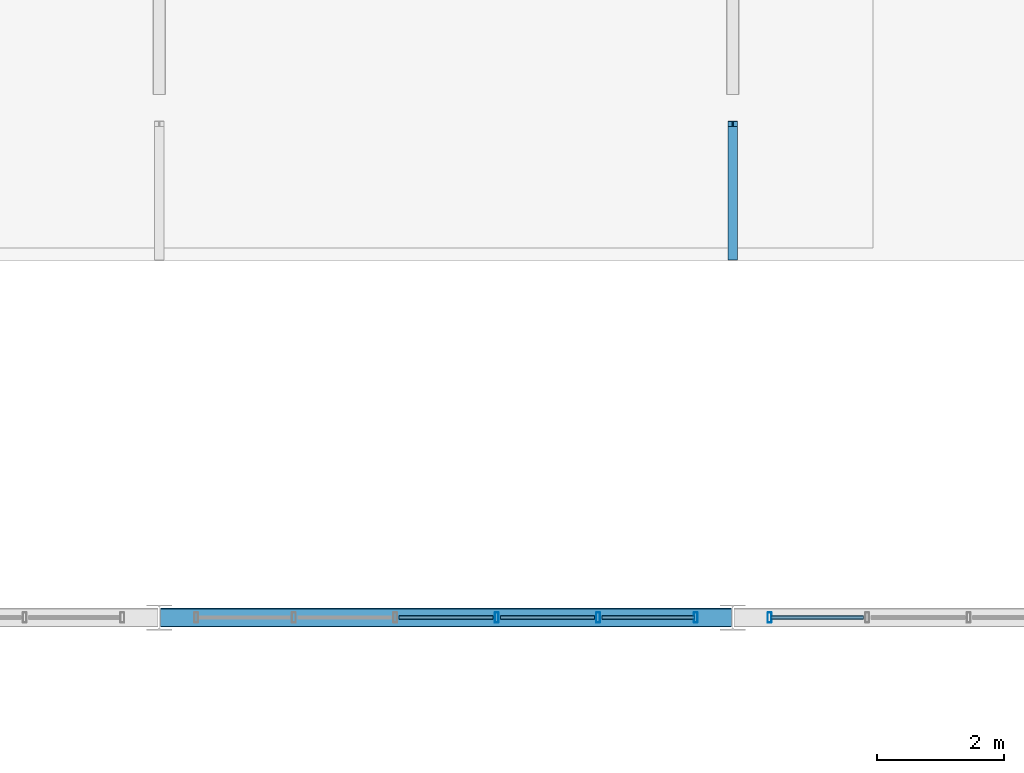
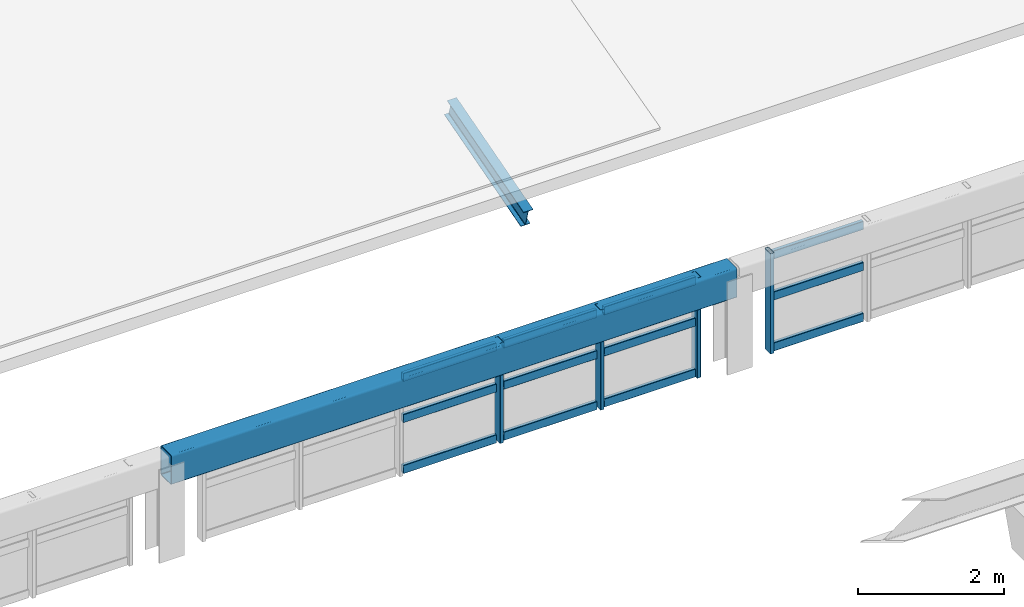
# One storey, part 52 of 128: 16 members, 2 beams, 2 elements without a shape of their own.
"""IFC4 building model written with IfcOpenShell, lengths in metres."""

from ifc_helpers import new_model, si_unit, derived_unit, direction, frame, origin, origin_2d, place, context, subcontext, project, spatial, hollow_rectangle, i_section, extrude, material, material_profile, profile_set, type_object, element, aggregate, save


model = new_model("IFC4")

# Units and contexts
model_context = context("Model", 3, precision=1e-05, world=origin(), true_north=direction((0.0, 1.0)))
body_context = subcontext(model_context, "Body", "Model", "MODEL_VIEW")
ifc_project = project(units=[si_unit("LENGTHUNIT", "METRE"), si_unit("AREAUNIT", "SQUARE_METRE"), si_unit("VOLUMEUNIT", "CUBIC_METRE"), si_unit("PLANEANGLEUNIT", "RADIAN"), si_unit("MASSUNIT", "GRAM", prefix="KILO"), derived_unit("THERMALTRANSMITTANCEUNIT", [(si_unit("MASSUNIT", "GRAM", prefix="KILO"), 1), (si_unit("TIMEUNIT", "SECOND"), -3), (si_unit("THERMODYNAMICTEMPERATUREUNIT", "KELVIN"), -1)])], contexts=[model_context])

# Site, building, storey
site_placement = place(None, origin())
site = spatial("IfcSite", under=ifc_project, at=site_placement, CompositionType="ELEMENT")
building_placement = place(site_placement, origin())
building = spatial("IfcBuilding", under=site, at=building_placement, Name="Zhenchuan Archway Interchange", CompositionType="ELEMENT")
storey_placement = place(building_placement, frame((0.0, 0.0, 14.39990234375)))
storey = spatial("IfcBuildingStorey", under=building, at=storey_placement, Name="L03", CompositionType="ELEMENT", Elevation=14.39990234375)

# Beams
ifc_material_1 = material(Name="Steel Q390", Category="steel")
ifc_material_profile_1 = material_profile(ifc_material_1, hollow_rectangle(XDim=0.300048828125, YDim=0.5, WallThickness=0.01611328125, InnerFilletRadius=0.01611328125, OuterFilletRadius=0.031982421875, at=origin_2d()), Name="RHS 500x300x16")
ifc_profile_set_1 = profile_set([ifc_material_profile_1], Name="Steel Q390")
beam_type_1 = type_object("IfcBeamType", Name="BM_RING_RHS500", PredefinedType="BEAM", material=ifc_profile_set_1)
beam_1_placement = place(storey_placement, frame((36.02001953125, 88.0, 1.4501953125), z_axis=(1.0, 0.0, 0.0), x_axis=(0.0, 1.0, 0.0)))
element("IfcBeam", 1, at=beam_1_placement, inside=storey, type_object=beam_type_1, Name="CONCOURSE CABLE-NET RING BEAM N-2", PredefinedType="BEAM", context=body_context, shape_type="SweptSolid", body=[
    extrude(hollow_rectangle(XDim=0.300048828125, YDim=0.5, WallThickness=0.01611328125, InnerFilletRadius=0.01611328125, OuterFilletRadius=0.031982421875, at=origin_2d()), origin(), (0.0, 0.0, 1.0), 8.9599609375),
])
ifc_material_2 = material(Name="Steel Q355", Category="steel")
ifc_material_profile_2 = material_profile(ifc_material_2, i_section(OverallWidth=0.14990234375, OverallDepth=0.300048828125, WebThickness=0.006591796875, FlangeThickness=0.009033203125, FilletRadius=0.012939453125, at=origin_2d()), Name="HN 300x150")
ifc_profile_set_2 = profile_set([ifc_material_profile_2], Name="Steel Q355")
beam_type_2 = type_object("IfcBeamType", Name="BM_STL_EAVE_HN300", PredefinedType="BEAM", material=ifc_profile_set_2)
beam_2_placement = place(storey_placement, frame((45.0, 95.75, -0.3798828125), z_axis=(0.0, -0.961515511102, -0.274750654067), x_axis=(1.0, 0.0, 0.0)))
element("IfcBeam", 2, at=beam_2_placement, inside=storey, type_object=beam_type_2, Name="Terminal Wing storm-eave bracket X45-S", PredefinedType="BEAM", context=body_context, shape_type="SweptSolid", body=[
    extrude(i_section(OverallWidth=0.14990234375, OverallDepth=0.300048828125, WebThickness=0.006591796875, FlangeThickness=0.009033203125, FilletRadius=0.012939453125, at=origin_2d()), origin(), (0.0, 0.0, 1.0), 2.18408203125),
])

# Curtain wall, members
ifc_material_3 = material(Name="Anodised Aluminium", Category="aluminium")
curtain_wall_type = type_object("IfcCurtainWallType", Name="CW_UNIT_4", PredefinedType="NOTDEFINED", material=ifc_material_3)
curtain_wall_1_placement = place(storey_placement, origin())
curtain_wall_1 = element("IfcCurtainWall", 3, at=curtain_wall_1_placement, inside=storey, type_object=curtain_wall_type, Name="Unitised curtain wall CW:L03:RING-N2", PredefinedType="NOTDEFINED")
ifc_material_profile_3 = material_profile(ifc_material_3, hollow_rectangle(XDim=0.06005859375, YDim=0.159912109375, WallThickness=0.00390625, InnerFilletRadius=0.00390625, OuterFilletRadius=0.008056640625, at=origin_2d()), Name="ALU 160x60x4")
ifc_profile_set_3 = profile_set([ifc_material_profile_3], Name="Anodised Aluminium")
member_type_1 = type_object("IfcMemberType", Name="CW_MUL_150", PredefinedType="MULLION", material=ifc_profile_set_3)
member_1_placement = place(storey_placement, frame((41.2958984375, 88.0, 0.02001953125), z_axis=(0.0, 0.0, 1.0), x_axis=(1.0, 0.0, 0.0)))
member_1 = element("IfcMember", 4, at=member_1_placement, type_object=member_type_1, Name="CW:L03:RING-N2 mullion 3", PredefinedType="MULLION", context=body_context, shape_type="SweptSolid", body=[
    extrude(hollow_rectangle(XDim=0.06005859375, YDim=0.159912109375, WallThickness=0.00390625, InnerFilletRadius=0.00390625, OuterFilletRadius=0.008056640625, at=origin_2d()), origin(), (0.0, 0.0, 1.0), 1.68017578125),
])
member_2_placement = place(storey_placement, frame((42.887939453125, 88.0, 0.02001953125), z_axis=(0.0, 0.0, 1.0), x_axis=(1.0, 0.0, 0.0)))
member_2 = element("IfcMember", 5, at=member_2_placement, type_object=member_type_1, Name="CW:L03:RING-N2 mullion 4", PredefinedType="MULLION", context=body_context, shape_type="SweptSolid", body=[
    extrude(hollow_rectangle(XDim=0.06005859375, YDim=0.159912109375, WallThickness=0.00390625, InnerFilletRadius=0.00390625, OuterFilletRadius=0.008056640625, at=origin_2d()), origin(), (0.0, 0.0, 1.0), 1.68017578125),
])
member_3_placement = place(storey_placement, frame((44.419921875, 88.0, 0.02001953125), z_axis=(0.0, 0.0, 1.0), x_axis=(1.0, 0.0, 0.0)))
member_3 = element("IfcMember", 6, at=member_3_placement, type_object=member_type_1, Name="CW:L03:RING-N2 mullion 5", PredefinedType="MULLION", context=body_context, shape_type="SweptSolid", body=[
    extrude(hollow_rectangle(XDim=0.06005859375, YDim=0.159912109375, WallThickness=0.00390625, InnerFilletRadius=0.00390625, OuterFilletRadius=0.008056640625, at=origin_2d()), origin(), (0.0, 0.0, 1.0), 1.68017578125),
])

# Curtain wall, member
curtain_wall_2_placement = place(storey_placement, origin())
curtain_wall_2 = element("IfcCurtainWall", 7, at=curtain_wall_2_placement, inside=storey, type_object=curtain_wall_type, Name="Unitised curtain wall CW:L03:RING-N3", PredefinedType="NOTDEFINED")
member_4_placement = place(storey_placement, frame((45.580078125, 88.0, 0.02001953125), z_axis=(0.0, 0.0, 1.0), x_axis=(1.0, 0.0, 0.0)))
member_4 = element("IfcMember", 8, at=member_4_placement, type_object=member_type_1, Name="CW:L03:RING-N3 mullion 0", PredefinedType="MULLION", context=body_context, shape_type="SweptSolid", body=[
    extrude(hollow_rectangle(XDim=0.06005859375, YDim=0.159912109375, WallThickness=0.00390625, InnerFilletRadius=0.00390625, OuterFilletRadius=0.008056640625, at=origin_2d()), origin(), (0.0, 0.0, 1.0), 1.68017578125),
])

# Member
ifc_material_profile_4 = material_profile(ifc_material_3, hollow_rectangle(XDim=0.06005859375, YDim=0.139892578125, WallThickness=0.00341796875, InnerFilletRadius=0.00341796875, OuterFilletRadius=0.007080078125, at=origin_2d()), Name="ALU 140x60x3.5")
ifc_profile_set_4 = profile_set([ifc_material_profile_4], Name="Anodised Aluminium")
member_type_2 = type_object("IfcMemberType", Name="CW_TRN_140", PredefinedType="USERDEFINED", material=ifc_profile_set_4)
member_5_placement = place(storey_placement, frame((39.763916015625, 88.0, 0.080078125), z_axis=(1.0, 0.0, 0.0), x_axis=(0.0, 1.0, 0.0)))
member_5 = element("IfcMember", 9, at=member_5_placement, type_object=member_type_2, Name="CW:L03:RING-N2 transom 2-1", ObjectType="TRANSOM", PredefinedType="USERDEFINED", context=body_context, shape_type="SweptSolid", body=[
    extrude(hollow_rectangle(XDim=0.06005859375, YDim=0.139892578125, WallThickness=0.00341796875, InnerFilletRadius=0.00341796875, OuterFilletRadius=0.007080078125, at=origin_2d()), origin(), (0.0, 0.0, 1.0), 1.47216796875),
])

member_6_placement = place(storey_placement, frame((39.763916015625, 88.0, 0.93310546875), z_axis=(1.0, 0.0, 0.0), x_axis=(0.0, 1.0, 0.0)))
member_6 = element("IfcMember", 10, at=member_6_placement, type_object=member_type_2, Name="CW:L03:RING-N2 transom 2-2", ObjectType="TRANSOM", PredefinedType="USERDEFINED", context=body_context, shape_type="SweptSolid", body=[
    extrude(hollow_rectangle(XDim=0.06005859375, YDim=0.139892578125, WallThickness=0.00341796875, InnerFilletRadius=0.00341796875, OuterFilletRadius=0.007080078125, at=origin_2d()), origin(), (0.0, 0.0, 1.0), 1.47216796875),
])

member_7_placement = place(storey_placement, frame((39.763916015625, 88.0, 1.6201171875), z_axis=(1.0, 0.0, 0.0), x_axis=(0.0, 1.0, 0.0)))
member_7 = element("IfcMember", 11, at=member_7_placement, type_object=member_type_2, Name="CW:L03:RING-N2 transom 2-3", ObjectType="TRANSOM", PredefinedType="USERDEFINED", context=body_context, shape_type="SweptSolid", body=[
    extrude(hollow_rectangle(XDim=0.06005859375, YDim=0.139892578125, WallThickness=0.00341796875, InnerFilletRadius=0.00341796875, OuterFilletRadius=0.007080078125, at=origin_2d()), origin(), (0.0, 0.0, 1.0), 1.47216796875),
])

member_8_placement = place(storey_placement, frame((41.35595703125, 88.0, 0.080078125), z_axis=(1.0, 0.0, 0.0), x_axis=(0.0, 1.0, 0.0)))
member_8 = element("IfcMember", 12, at=member_8_placement, type_object=member_type_2, Name="CW:L03:RING-N2 transom 3-1", ObjectType="TRANSOM", PredefinedType="USERDEFINED", context=body_context, shape_type="SweptSolid", body=[
    extrude(hollow_rectangle(XDim=0.06005859375, YDim=0.139892578125, WallThickness=0.00341796875, InnerFilletRadius=0.00341796875, OuterFilletRadius=0.007080078125, at=origin_2d()), origin(), (0.0, 0.0, 1.0), 1.471923828125),
])

member_9_placement = place(storey_placement, frame((41.35595703125, 88.0, 0.93310546875), z_axis=(1.0, 0.0, 0.0), x_axis=(0.0, 1.0, 0.0)))
member_9 = element("IfcMember", 13, at=member_9_placement, type_object=member_type_2, Name="CW:L03:RING-N2 transom 3-2", ObjectType="TRANSOM", PredefinedType="USERDEFINED", context=body_context, shape_type="SweptSolid", body=[
    extrude(hollow_rectangle(XDim=0.06005859375, YDim=0.139892578125, WallThickness=0.00341796875, InnerFilletRadius=0.00341796875, OuterFilletRadius=0.007080078125, at=origin_2d()), origin(), (0.0, 0.0, 1.0), 1.471923828125),
])

member_10_placement = place(storey_placement, frame((41.35595703125, 88.0, 1.6201171875), z_axis=(1.0, 0.0, 0.0), x_axis=(0.0, 1.0, 0.0)))
member_10 = element("IfcMember", 14, at=member_10_placement, type_object=member_type_2, Name="CW:L03:RING-N2 transom 3-3", ObjectType="TRANSOM", PredefinedType="USERDEFINED", context=body_context, shape_type="SweptSolid", body=[
    extrude(hollow_rectangle(XDim=0.06005859375, YDim=0.139892578125, WallThickness=0.00341796875, InnerFilletRadius=0.00341796875, OuterFilletRadius=0.007080078125, at=origin_2d()), origin(), (0.0, 0.0, 1.0), 1.471923828125),
])

member_11_placement = place(storey_placement, frame((42.947998046875, 88.0, 0.080078125), z_axis=(1.0, 0.0, 0.0), x_axis=(0.0, 1.0, 0.0)))
member_11 = element("IfcMember", 15, at=member_11_placement, type_object=member_type_2, Name="CW:L03:RING-N2 transom 4-1", ObjectType="TRANSOM", PredefinedType="USERDEFINED", context=body_context, shape_type="SweptSolid", body=[
    extrude(hollow_rectangle(XDim=0.06005859375, YDim=0.139892578125, WallThickness=0.00341796875, InnerFilletRadius=0.00341796875, OuterFilletRadius=0.007080078125, at=origin_2d()), origin(), (0.0, 0.0, 1.0), 1.451904296875),
])

member_12_placement = place(storey_placement, frame((42.947998046875, 88.0, 0.93310546875), z_axis=(1.0, 0.0, 0.0), x_axis=(0.0, 1.0, 0.0)))
member_12 = element("IfcMember", 16, at=member_12_placement, type_object=member_type_2, Name="CW:L03:RING-N2 transom 4-2", ObjectType="TRANSOM", PredefinedType="USERDEFINED", context=body_context, shape_type="SweptSolid", body=[
    extrude(hollow_rectangle(XDim=0.06005859375, YDim=0.139892578125, WallThickness=0.00341796875, InnerFilletRadius=0.00341796875, OuterFilletRadius=0.007080078125, at=origin_2d()), origin(), (0.0, 0.0, 1.0), 1.451904296875),
])

member_13_placement = place(storey_placement, frame((42.947998046875, 88.0, 1.6201171875), z_axis=(1.0, 0.0, 0.0), x_axis=(0.0, 1.0, 0.0)))
member_13 = element("IfcMember", 17, at=member_13_placement, type_object=member_type_2, Name="CW:L03:RING-N2 transom 4-3", ObjectType="TRANSOM", PredefinedType="USERDEFINED", context=body_context, shape_type="SweptSolid", body=[
    extrude(hollow_rectangle(XDim=0.06005859375, YDim=0.139892578125, WallThickness=0.00341796875, InnerFilletRadius=0.00341796875, OuterFilletRadius=0.007080078125, at=origin_2d()), origin(), (0.0, 0.0, 1.0), 1.451904296875),
])

aggregate(curtain_wall_1, [member_1, member_2, member_3, member_5, member_6, member_7, member_8, member_9, member_10, member_11, member_12, member_13])

member_14_placement = place(storey_placement, frame((45.60009765625, 88.0, 0.080078125), z_axis=(1.0, 0.0, 0.0), x_axis=(0.0, 1.0, 0.0)))
member_14 = element("IfcMember", 18, at=member_14_placement, type_object=member_type_2, Name="CW:L03:RING-N3 transom 0-1", ObjectType="TRANSOM", PredefinedType="USERDEFINED", context=body_context, shape_type="SweptSolid", body=[
    extrude(hollow_rectangle(XDim=0.06005859375, YDim=0.139892578125, WallThickness=0.00341796875, InnerFilletRadius=0.00341796875, OuterFilletRadius=0.007080078125, at=origin_2d()), origin(), (0.0, 0.0, 1.0), 1.451904296875),
])

member_15_placement = place(storey_placement, frame((45.60009765625, 88.0, 0.93310546875), z_axis=(1.0, 0.0, 0.0), x_axis=(0.0, 1.0, 0.0)))
member_15 = element("IfcMember", 19, at=member_15_placement, type_object=member_type_2, Name="CW:L03:RING-N3 transom 0-2", ObjectType="TRANSOM", PredefinedType="USERDEFINED", context=body_context, shape_type="SweptSolid", body=[
    extrude(hollow_rectangle(XDim=0.06005859375, YDim=0.139892578125, WallThickness=0.00341796875, InnerFilletRadius=0.00341796875, OuterFilletRadius=0.007080078125, at=origin_2d()), origin(), (0.0, 0.0, 1.0), 1.451904296875),
])

member_16_placement = place(storey_placement, frame((45.60009765625, 88.0, 1.6201171875), z_axis=(1.0, 0.0, 0.0), x_axis=(0.0, 1.0, 0.0)))
member_16 = element("IfcMember", 20, at=member_16_placement, type_object=member_type_2, Name="CW:L03:RING-N3 transom 0-3", ObjectType="TRANSOM", PredefinedType="USERDEFINED", context=body_context, shape_type="SweptSolid", body=[
    extrude(hollow_rectangle(XDim=0.06005859375, YDim=0.139892578125, WallThickness=0.00341796875, InnerFilletRadius=0.00341796875, OuterFilletRadius=0.007080078125, at=origin_2d()), origin(), (0.0, 0.0, 1.0), 1.451904296875),
])

aggregate(curtain_wall_2, [member_4, member_14, member_15, member_16])

save(model, "model.ifc")
